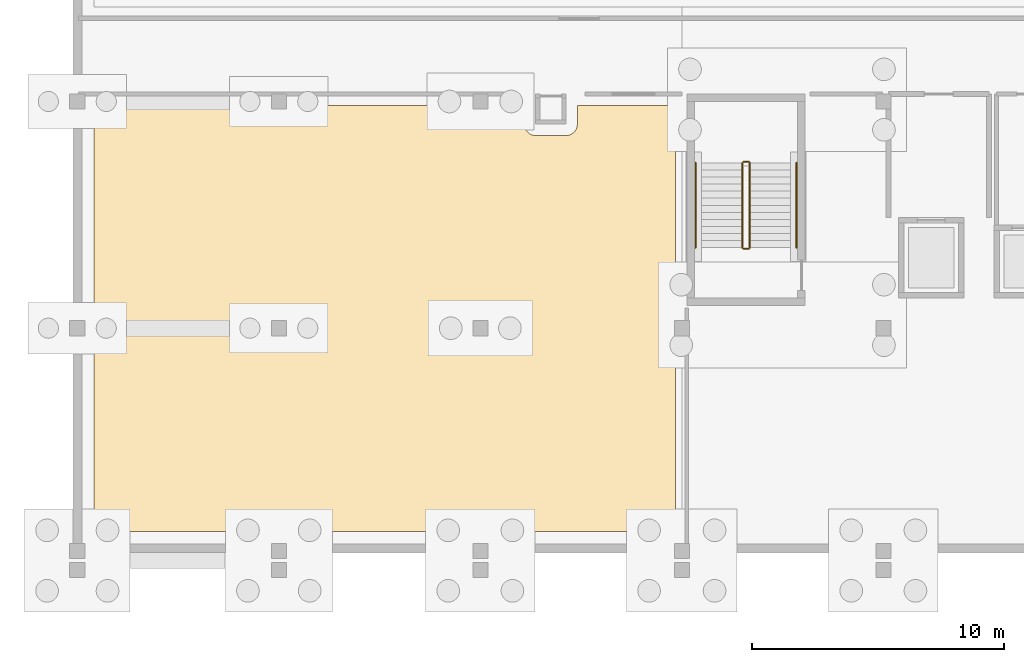
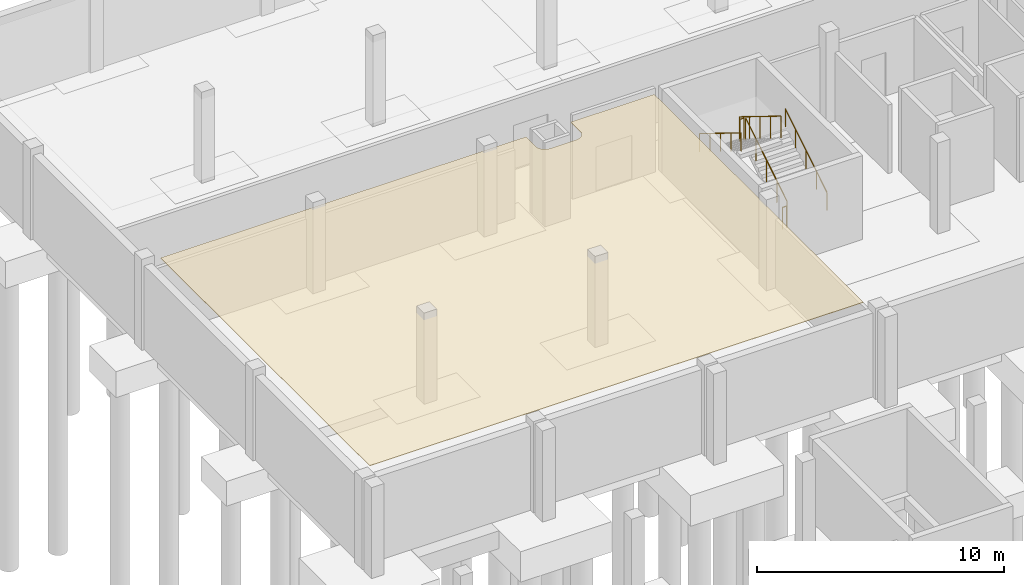
# One storey, part 29 of 36: 6 railings, 1 covering.
"""IFC4 building model written with IfcOpenShell, lengths in metres."""

from ifc_helpers import new_model, si_unit, direction, frame, origin, origin_2d, place, context, subcontext, project, spatial, polyline, circle, outline, extrude, material, layer, layer_set, type_object, element, save


model = new_model("IFC4")

# Units and contexts
model_context = context("Model", 3, precision=1e-05, world=origin(), true_north=direction((0.0, 1.0)))
body_context = subcontext(model_context, "Body", "Model", "MODEL_VIEW")
ifc_project = project(units=[si_unit("LENGTHUNIT", "METRE"), si_unit("AREAUNIT", "SQUARE_METRE"), si_unit("VOLUMEUNIT", "CUBIC_METRE"), si_unit("PLANEANGLEUNIT", "RADIAN"), si_unit("MASSUNIT", "GRAM", prefix="KILO")], contexts=[model_context])

# Site, building, storey
site_placement = place(None, origin())
site = spatial("IfcSite", under=ifc_project, at=site_placement, CompositionType="ELEMENT")
building_placement = place(site_placement, origin())
building = spatial("IfcBuilding", under=site, at=building_placement, Name="Chiffa Square Polytechnic", CompositionType="ELEMENT")
storey_placement = place(building_placement, frame((0.0, 0.0, -4.5)))
storey = spatial("IfcBuildingStorey", under=building, at=storey_placement, Name="B1", CompositionType="ELEMENT", Elevation=-4.5)

# Covering
ifc_material_1 = material(Name="Perforated gypsum acoustic board")
ifc_layer_1 = layer(ifc_material_1, 0.02490234375, Name="Perforated gypsum acoustic board")
ifc_layer_set_1 = layer_set([ifc_layer_1], Name="Perforated gypsum acoustic board")
covering_type = type_object("IfcCoveringType", Name="COV-CEIL-GYP", PredefinedType="CEILING", material=ifc_layer_set_1)
covering_placement = place(storey_placement, frame((0.0, 0.0, 4.126953125)))
element("IfcCovering", 1, at=covering_placement, inside=storey, type_object=covering_type, Name="Suspended acoustic ceiling CL-V5-B1-001", PredefinedType="CEILING", context=body_context, shape_type="SweptSolid", body=[
    extrude(outline(polyline([(17.75, 112.64990234375), (17.75, 111.89990234375), (17.751953125, 111.85595703125), (17.759033203125, 111.81201171875), (17.76904296875, 111.76904296875), (17.783935546875, 111.72802734375), (17.802978515625, 111.68798828125), (17.825927734375, 111.64990234375), (17.85205078125, 111.614990234375), (17.882080078125, 111.58203125), (17.9150390625, 111.552001953125), (17.949951171875, 111.52587890625), (17.988037109375, 111.5029296875), (18.028076171875, 111.48388671875), (18.069091796875, 111.468994140625), (18.112060546875, 111.458984375), (18.156005859375, 111.451904296875), (18.199951171875, 111.449951171875), (19.39990234375, 111.449951171875), (19.444091796875, 111.451904296875), (19.488037109375, 111.458984375), (19.531005859375, 111.468994140625), (19.572021484375, 111.48388671875), (19.612060546875, 111.5029296875), (19.64990234375, 111.52587890625), (19.68505859375, 111.552001953125), (19.718017578125, 111.58203125), (19.748046875, 111.614990234375), (19.77392578125, 111.64990234375), (19.797119140625, 111.68798828125), (19.81591796875, 111.72802734375), (19.8310546875, 111.76904296875), (19.841064453125, 111.81201171875), (19.847900390625, 111.85595703125), (19.85009765625, 111.89990234375), (19.85009765625, 112.64990234375), (23.75, 112.64990234375), (23.75, 95.719970703125), (0.669921875, 95.719970703125), (0.669921875, 112.64990234375), (17.75, 112.64990234375)])), origin(), (0.0, 0.0, 1.0), 0.025146484375),
])

# Railings
ifc_material_2 = material(Name="Steel S355", Category="steel")
ifc_layer_2 = layer(ifc_material_2, 0.050048828125, Name="Steel S355")
ifc_layer_set_2 = layer_set([ifc_layer_2], Name="Steel S355")
railing_type_1 = type_object("IfcRailingType", Name="RL-STAIR-GUARD", PredefinedType="GUARDRAIL", material=ifc_layer_set_2)
railing_1_placement = place(storey_placement, frame((26.699951171875, 107.0, 0.173095703125)))
element("IfcRailing", 2, at=railing_1_placement, inside=storey, type_object=railing_type_1, Name="B1 ST-V5A stair guard 1", PredefinedType="GUARDRAIL", context=body_context, shape_type="SweptSolid", body=[
    extrude(circle(Radius=0.02392578125, at=origin_2d()), frame((0.0, 0.0, 1.076171875), z_axis=(0.0, 0.850623216509, 0.525775754039), x_axis=(-1.0, 0.0, 0.0)), (0.0, 0.0, 1.0), 3.9501953125),
    extrude(circle(Radius=0.02099609375, at=origin_2d()), origin(), (0.0, 0.0, 1.0), 1.052001953125),
    extrude(circle(Radius=0.02099609375, at=origin_2d()), frame((0.0, 0.840087890625, 0.519287109375)), (0.0, 0.0, 1.0), 1.052001953125),
    extrude(circle(Radius=0.02099609375, at=origin_2d()), frame((0.0, 1.68017578125, 1.03857421875)), (0.0, 0.0, 1.0), 1.052001953125),
    extrude(circle(Radius=0.02099609375, at=origin_2d()), frame((0.0, 2.52001953125, 1.5576171875)), (0.0, 0.0, 1.0), 1.052001953125),
    extrude(circle(Radius=0.02099609375, at=origin_2d()), frame((0.0, 3.360107421875, 2.076904296875)), (0.0, 0.0, 1.0), 1.052001953125),
])
railing_2_placement = place(storey_placement, frame((26.64990234375, 110.409912109375, 2.25)))
element("IfcRailing", 3, at=railing_2_placement, inside=storey, type_object=railing_type_1, Name="B1 ST-V5A stair guard 2", PredefinedType="GUARDRAIL", context=body_context, shape_type="SweptSolid", body=[
    extrude(circle(Radius=0.02392578125, at=origin_2d()), frame((0.0, 0.0, 1.076171875), z_axis=(-1.0, 0.0, 0.0), x_axis=(0.0, -1.0, 0.0)), (0.0, 0.0, 1.0), 0.199951171875),
    extrude(circle(Radius=0.02099609375, at=origin_2d()), origin(), (0.0, 0.0, 1.0), 1.052001953125),
    extrude(circle(Radius=0.02099609375, at=origin_2d()), frame((-0.199951171875, 0.0, 0.0)), (0.0, 0.0, 1.0), 1.052001953125),
])
railing_3_placement = place(storey_placement, frame((26.39990234375, 110.360107421875, 2.423095703125)))
element("IfcRailing", 4, at=railing_3_placement, inside=storey, type_object=railing_type_1, Name="B1 ST-V5A stair guard 3", PredefinedType="GUARDRAIL", context=body_context, shape_type="SweptSolid", body=[
    extrude(circle(Radius=0.02392578125, at=origin_2d()), frame((0.0, 0.0, 1.076171875), z_axis=(0.0, -0.850623216509, 0.525775754039), x_axis=(1.0, 0.0, 0.0)), (0.0, 0.0, 1.0), 3.9501953125),
    extrude(circle(Radius=0.02099609375, at=origin_2d()), origin(), (0.0, 0.0, 1.0), 1.052001953125),
    extrude(circle(Radius=0.02099609375, at=origin_2d()), frame((0.0, -0.840087890625, 0.519287109375)), (0.0, 0.0, 1.0), 1.052001953125),
    extrude(circle(Radius=0.02099609375, at=origin_2d()), frame((0.0, -1.68017578125, 1.03857421875)), (0.0, 0.0, 1.0), 1.052001953125),
    extrude(circle(Radius=0.02099609375, at=origin_2d()), frame((0.0, -2.52001953125, 1.5576171875)), (0.0, 0.0, 1.0), 1.052001953125),
    extrude(circle(Radius=0.02099609375, at=origin_2d()), frame((0.0, -3.360107421875, 2.076904296875)), (0.0, 0.0, 1.0), 1.052001953125),
])
railing_4_placement = place(storey_placement, frame((26.64990234375, 106.949951171875, 0.0)))
element("IfcRailing", 5, at=railing_4_placement, inside=storey, type_object=railing_type_1, Name="B1 ST-V5A stair guard 4", PredefinedType="GUARDRAIL", context=body_context, shape_type="SweptSolid", body=[
    extrude(circle(Radius=0.02392578125, at=origin_2d()), frame((0.0, 0.0, 1.076171875), z_axis=(-1.0, 0.0, 0.0), x_axis=(0.0, -1.0, 0.0)), (0.0, 0.0, 1.0), 0.199951171875),
    extrude(circle(Radius=0.02099609375, at=origin_2d()), origin(), (0.0, 0.0, 1.0), 1.052001953125),
    extrude(circle(Radius=0.02099609375, at=origin_2d()), frame((-0.199951171875, 0.0, 0.0)), (0.0, 0.0, 1.0), 1.052001953125),
])
ifc_layer_3 = layer(ifc_material_2, 0.044921875, Name="Steel S355")
ifc_layer_set_3 = layer_set([ifc_layer_3], Name="Steel S355")
railing_type_2 = type_object("IfcRailingType", Name="RL-STAIR-HAND", PredefinedType="HANDRAIL", material=ifc_layer_set_3)
railing_5_placement = place(storey_placement, frame((28.550048828125, 107.0, 0.173095703125)))
element("IfcRailing", 6, at=railing_5_placement, inside=storey, type_object=railing_type_2, Name="B1 ST-V5A stair handrail 1", PredefinedType="HANDRAIL", context=body_context, shape_type="SweptSolid", body=[
    extrude(circle(Radius=0.02392578125, at=origin_2d()), frame((0.0, 0.0, 0.89599609375), z_axis=(0.0, 0.850623216509, 0.525775754039), x_axis=(-1.0, 0.0, 0.0)), (0.0, 0.0, 1.0), 3.9501953125),
    extrude(circle(Radius=0.02099609375, at=origin_2d()), origin(), (0.0, 0.0, 1.0), 0.871826171875),
    extrude(circle(Radius=0.02099609375, at=origin_2d()), frame((0.0, 0.840087890625, 0.519287109375)), (0.0, 0.0, 1.0), 0.871826171875),
    extrude(circle(Radius=0.02099609375, at=origin_2d()), frame((0.0, 1.68017578125, 1.03857421875)), (0.0, 0.0, 1.0), 0.871826171875),
    extrude(circle(Radius=0.02099609375, at=origin_2d()), frame((0.0, 2.52001953125, 1.5576171875)), (0.0, 0.0, 1.0), 0.871826171875),
    extrude(circle(Radius=0.02099609375, at=origin_2d()), frame((0.0, 3.360107421875, 2.076904296875)), (0.0, 0.0, 1.0), 0.871826171875),
])
railing_6_placement = place(storey_placement, frame((24.550048828125, 110.360107421875, 2.423095703125)))
element("IfcRailing", 7, at=railing_6_placement, inside=storey, type_object=railing_type_2, Name="B1 ST-V5A stair handrail 2", PredefinedType="HANDRAIL", context=body_context, shape_type="SweptSolid", body=[
    extrude(circle(Radius=0.02392578125, at=origin_2d()), frame((0.0, 0.0, 0.89599609375), z_axis=(0.0, -0.850623216509, 0.525775754039), x_axis=(1.0, 0.0, 0.0)), (0.0, 0.0, 1.0), 3.9501953125),
    extrude(circle(Radius=0.02099609375, at=origin_2d()), origin(), (0.0, 0.0, 1.0), 0.871826171875),
    extrude(circle(Radius=0.02099609375, at=origin_2d()), frame((0.0, -0.840087890625, 0.519287109375)), (0.0, 0.0, 1.0), 0.871826171875),
    extrude(circle(Radius=0.02099609375, at=origin_2d()), frame((0.0, -1.68017578125, 1.03857421875)), (0.0, 0.0, 1.0), 0.871826171875),
    extrude(circle(Radius=0.02099609375, at=origin_2d()), frame((0.0, -2.52001953125, 1.5576171875)), (0.0, 0.0, 1.0), 0.871826171875),
    extrude(circle(Radius=0.02099609375, at=origin_2d()), frame((0.0, -3.360107421875, 2.076904296875)), (0.0, 0.0, 1.0), 0.871826171875),
])

save(model, "model.ifc")
